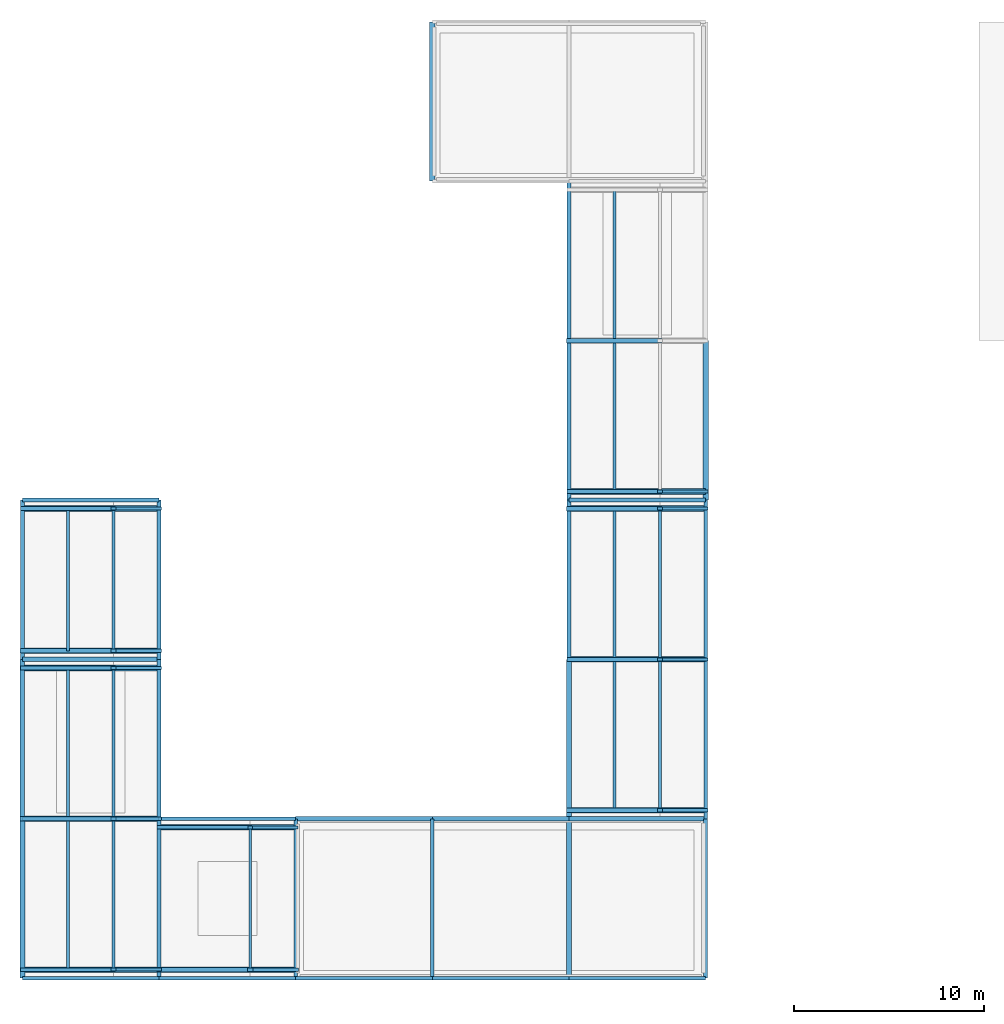
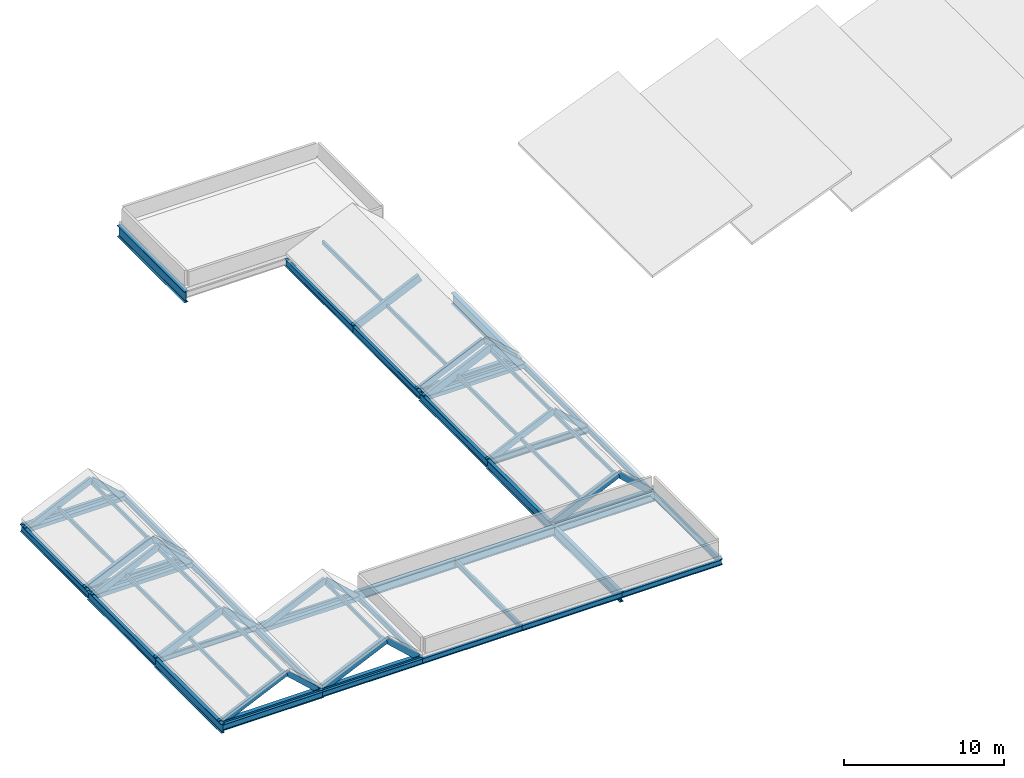
# One storey, part 1 of 3: 42 members, 32 beams.
"""IFC4 building model written with IfcOpenShell, lengths in metres."""

from ifc_helpers import new_model, si_unit, direction, frame, origin, origin_2d, place, context, subcontext, project, spatial, rectangle, hollow_rectangle, i_section, extrude, material, material_profile, profile_set, type_object, element, save


model = new_model("IFC4")

# Units and contexts
model_context = context("Model", 3, precision=1e-05, world=origin(), true_north=direction((0.0, 1.0)))
body_context = subcontext(model_context, "Body", "Model", "MODEL_VIEW")
ifc_project = project(units=[si_unit("LENGTHUNIT", "METRE"), si_unit("AREAUNIT", "SQUARE_METRE"), si_unit("VOLUMEUNIT", "CUBIC_METRE"), si_unit("PLANEANGLEUNIT", "RADIAN"), si_unit("MASSUNIT", "GRAM", prefix="KILO")], contexts=[model_context])

# Site, building, storey
site_placement = place(None, origin())
site = spatial("IfcSite", under=ifc_project, at=site_placement, CompositionType="ELEMENT")
building_placement = place(site_placement, origin())
building = spatial("IfcBuilding", under=site, at=building_placement, Name="Qelthora Terrace Specialist Clinic", CompositionType="ELEMENT")
storey_placement = place(building_placement, frame((0.0, 0.0, 25.800048828125)))
storey = spatial("IfcBuildingStorey", under=building, at=storey_placement, Name="Roof", CompositionType="ELEMENT", Elevation=25.800048828125)

# Beams
ifc_material_1 = material(Name="Steel S355", Category="steel")
ifc_material_profile_1 = material_profile(ifc_material_1, i_section(OverallWidth=0.178955078125, OverallDepth=0.409912109375, WebThickness=0.0087890625, FlangeThickness=0.014404296875, FilletRadius=0.011962890625, at=origin_2d()), Name="W410X67")
ifc_profile_set_1 = profile_set([ifc_material_profile_1], Name="Steel S355")
beam_type_1 = type_object("IfcBeamType", Name="BM-W410X67", PredefinedType="BEAM", material=ifc_profile_set_1)
for number, where, z_axis, x_axis, name in (
    (1, (21.60009765625, 58.800048828125, -0.455078125), (1.0, 0.0, 0.0), (0.0, 1.0, 0.0), "Girder BMX-Roof-1396"),
    (2, (36.0, 58.800048828125, -0.455078125), (1.0, 0.0, 0.0), (0.0, 1.0, 0.0), "Girder BMX-Roof-1398"),
):
    element("IfcBeam", number, at=place(storey_placement, frame(where, z_axis=z_axis, x_axis=x_axis)), inside=storey, type_object=beam_type_1, Name=name, PredefinedType="BEAM", context=body_context, shape_type="SweptSolid", body=[
        extrude(i_section(OverallWidth=0.178955078125, OverallDepth=0.409912109375, WebThickness=0.0087890625, FlangeThickness=0.014404296875, FilletRadius=0.011962890625, at=origin_2d()), origin(), (0.0, 0.0, 1.0), 7.199951171875),
    ])
beam_1_placement = place(storey_placement, frame((14.39990234375, 67.199951171875, -0.455078125), z_axis=(1.0, 0.0, 0.0), x_axis=(0.0, 1.0, 0.0)))
element("IfcBeam", 3, at=beam_1_placement, inside=storey, type_object=beam_type_1, Name="Girder BMX-Roof-1400", PredefinedType="BEAM", context=body_context, shape_type="SweptSolid", body=[
    extrude(i_section(OverallWidth=0.178955078125, OverallDepth=0.409912109375, WebThickness=0.0087890625, FlangeThickness=0.014404296875, FilletRadius=0.011962890625, at=origin_2d()), origin(), (0.0, 0.0, 1.0), 7.2001953125),
])
for number, where, z_axis, x_axis, name in (
    (4, (28.800048828125, 58.800048828125, -0.455078125), (0.0, 1.0, 0.0), (-1.0, 0.0, 0.0), "Girder BMY-Roof-1420"),
    (5, (43.199951171875, 75.60009765625, -0.455078125), (0.0, 1.0, 0.0), (-1.0, 0.0, 0.0), "Girder BMY-Roof-1430"),
):
    element("IfcBeam", number, at=place(storey_placement, frame(where, z_axis=z_axis, x_axis=x_axis)), inside=storey, type_object=beam_type_1, Name=name, PredefinedType="BEAM", context=body_context, shape_type="SweptSolid", body=[
        extrude(i_section(OverallWidth=0.178955078125, OverallDepth=0.409912109375, WebThickness=0.0087890625, FlangeThickness=0.014404296875, FilletRadius=0.011962890625, at=origin_2d()), origin(), (0.0, 0.0, 1.0), 8.39990234375),
    ])
ifc_material_profile_2 = material_profile(ifc_material_1, i_section(OverallWidth=0.179931640625, OverallDepth=0.4130859375, WebThickness=0.009765625, FlangeThickness=0.01611328125, FilletRadius=0.011962890625, at=origin_2d()), Name="W410X75")
ifc_profile_set_2 = profile_set([ifc_material_profile_2], Name="Steel S355")
beam_type_2 = type_object("IfcBeamType", Name="BM-W410X75", PredefinedType="BEAM", material=ifc_profile_set_2)
beam_2_placement = place(storey_placement, frame((14.39990234375, 58.800048828125, -0.45654296875), z_axis=(1.0, 0.0, 0.0), x_axis=(0.0, 1.0, 0.0)))
element("IfcBeam", 6, at=beam_2_placement, inside=storey, type_object=beam_type_2, Name="Girder BMX-Roof-1395", PredefinedType="BEAM", context=body_context, shape_type="SweptSolid", body=[
    extrude(i_section(OverallWidth=0.179931640625, OverallDepth=0.4130859375, WebThickness=0.009765625, FlangeThickness=0.01611328125, FilletRadius=0.011962890625, at=origin_2d()), origin(), (0.0, 0.0, 1.0), 7.2001953125),
])
beam_3_placement = place(storey_placement, frame((28.800048828125, 58.800048828125, -0.45654296875), z_axis=(1.0, 0.0, 0.0), x_axis=(0.0, 1.0, 0.0)))
element("IfcBeam", 7, at=beam_3_placement, inside=storey, type_object=beam_type_2, Name="Girder BMX-Roof-1397", PredefinedType="BEAM", context=body_context, shape_type="SweptSolid", body=[
    extrude(i_section(OverallWidth=0.179931640625, OverallDepth=0.4130859375, WebThickness=0.009765625, FlangeThickness=0.01611328125, FilletRadius=0.011962890625, at=origin_2d()), origin(), (0.0, 0.0, 1.0), 7.199951171875),
])
beam_4_placement = place(storey_placement, frame((21.60009765625, 58.800048828125, -0.45654296875), z_axis=(0.0, 1.0, 0.0), x_axis=(-1.0, 0.0, 0.0)))
element("IfcBeam", 8, at=beam_4_placement, inside=storey, type_object=beam_type_2, Name="Girder BMY-Roof-1419", PredefinedType="BEAM", context=body_context, shape_type="SweptSolid", body=[
    extrude(i_section(OverallWidth=0.179931640625, OverallDepth=0.4130859375, WebThickness=0.009765625, FlangeThickness=0.01611328125, FilletRadius=0.011962890625, at=origin_2d()), origin(), (0.0, 0.0, 1.0), 8.39990234375),
])
beam_5_placement = place(storey_placement, frame((43.199951171875, 67.199951171875, -0.45654296875), z_axis=(0.0, 1.0, 0.0), x_axis=(-1.0, 0.0, 0.0)))
element("IfcBeam", 9, at=beam_5_placement, inside=storey, type_object=beam_type_2, Name="Girder BMY-Roof-1429", PredefinedType="BEAM", context=body_context, shape_type="SweptSolid", body=[
    extrude(i_section(OverallWidth=0.179931640625, OverallDepth=0.4130859375, WebThickness=0.009765625, FlangeThickness=0.01611328125, FilletRadius=0.011962890625, at=origin_2d()), origin(), (0.0, 0.0, 1.0), 8.400146484375),
])
ifc_material_profile_3 = material_profile(ifc_material_1, i_section(OverallWidth=0.19091796875, OverallDepth=0.4599609375, WebThickness=0.010009765625, FlangeThickness=0.01611328125, FilletRadius=0.012939453125, at=origin_2d()), Name="W460X82")
ifc_profile_set_3 = profile_set([ifc_material_profile_3], Name="Steel S355")
beam_type_3 = type_object("IfcBeamType", Name="BM-W460X82", PredefinedType="BEAM", material=ifc_profile_set_3)
for number, where, z_axis, x_axis, name in (
    (10, (7.199951171875, 58.800048828125, -0.47998046875), (1.0, 0.0, 0.0), (0.0, 1.0, 0.0), "Girder BMX-Roof-1394"),
    (11, (7.199951171875, 67.199951171875, -0.47998046875), (1.0, 0.0, 0.0), (0.0, 1.0, 0.0), "Girder BMX-Roof-1399"),
):
    element("IfcBeam", number, at=place(storey_placement, frame(where, z_axis=z_axis, x_axis=x_axis)), inside=storey, type_object=beam_type_3, Name=name, PredefinedType="BEAM", context=body_context, shape_type="SweptSolid", body=[
        extrude(i_section(OverallWidth=0.19091796875, OverallDepth=0.4599609375, WebThickness=0.010009765625, FlangeThickness=0.01611328125, FilletRadius=0.012939453125, at=origin_2d()), origin(), (0.0, 0.0, 1.0), 7.199951171875),
    ])
for number, where, z_axis, x_axis, name in (
    (12, (14.39990234375, 75.60009765625, -0.47998046875), (0.0, 1.0, 0.0), (-1.0, 0.0, 0.0), "Girder BMY-Roof-1418"),
    (13, (43.199951171875, 58.800048828125, -0.47998046875), (0.0, 1.0, 0.0), (-1.0, 0.0, 0.0), "Girder BMY-Roof-1428"),
):
    element("IfcBeam", number, at=place(storey_placement, frame(where, z_axis=z_axis, x_axis=x_axis)), inside=storey, type_object=beam_type_3, Name=name, PredefinedType="BEAM", context=body_context, shape_type="SweptSolid", body=[
        extrude(i_section(OverallWidth=0.19091796875, OverallDepth=0.4599609375, WebThickness=0.010009765625, FlangeThickness=0.01611328125, FilletRadius=0.012939453125, at=origin_2d()), origin(), (0.0, 0.0, 1.0), 8.39990234375),
    ])
ifc_material_profile_4 = material_profile(ifc_material_1, i_section(OverallWidth=0.193115234375, OverallDepth=0.466064453125, WebThickness=0.011474609375, FlangeThickness=0.01904296875, FilletRadius=0.012939453125, at=origin_2d()), Name="W460X97")
ifc_profile_set_4 = profile_set([ifc_material_profile_4], Name="Steel S355")
beam_type_4 = type_object("IfcBeamType", Name="BM-W460X97", PredefinedType="BEAM", material=ifc_profile_set_4)
beam_6_placement = place(storey_placement, frame((36.0, 84.0, -0.483154296875), z_axis=(1.0, 0.0, 0.0), x_axis=(0.0, 1.0, 0.0)))
element("IfcBeam", 14, at=beam_6_placement, inside=storey, type_object=beam_type_4, Name="Girder BMX-Roof-1407", PredefinedType="BEAM", context=body_context, shape_type="SweptSolid", body=[
    extrude(i_section(OverallWidth=0.193115234375, OverallDepth=0.466064453125, WebThickness=0.011474609375, FlangeThickness=0.01904296875, FilletRadius=0.012939453125, at=origin_2d()), origin(), (0.0, 0.0, 1.0), 7.199951171875),
])
beam_7_placement = place(storey_placement, frame((14.39990234375, 67.199951171875, -0.483154296875), z_axis=(0.0, 1.0, 0.0), x_axis=(-1.0, 0.0, 0.0)))
element("IfcBeam", 15, at=beam_7_placement, inside=storey, type_object=beam_type_4, Name="Girder BMY-Roof-1417", PredefinedType="BEAM", context=body_context, shape_type="SweptSolid", body=[
    extrude(i_section(OverallWidth=0.193115234375, OverallDepth=0.466064453125, WebThickness=0.011474609375, FlangeThickness=0.01904296875, FilletRadius=0.012939453125, at=origin_2d()), origin(), (0.0, 0.0, 1.0), 8.400146484375),
])
ifc_material_profile_5 = material_profile(ifc_material_1, i_section(OverallWidth=0.2099609375, OverallDepth=0.537109375, WebThickness=0.010986328125, FlangeThickness=0.017333984375, FilletRadius=0.013916015625, at=origin_2d()), Name="W530X101")
ifc_profile_set_5 = profile_set([ifc_material_profile_5], Name="Steel S355")
beam_type_5 = type_object("IfcBeamType", Name="BM-W530X101", PredefinedType="BEAM", material=ifc_profile_set_5)
beam_8_placement = place(storey_placement, frame((7.199951171875, 84.0, -0.5185546875), z_axis=(1.0, 0.0, 0.0), x_axis=(0.0, 1.0, 0.0)))
element("IfcBeam", 16, at=beam_8_placement, inside=storey, type_object=beam_type_5, Name="Girder BMX-Roof-1406", PredefinedType="BEAM", context=body_context, shape_type="SweptSolid", body=[
    extrude(i_section(OverallWidth=0.2099609375, OverallDepth=0.537109375, WebThickness=0.010986328125, FlangeThickness=0.017333984375, FilletRadius=0.013916015625, at=origin_2d()), origin(), (0.0, 0.0, 1.0), 7.199951171875),
])
beam_9_placement = place(storey_placement, frame((14.39990234375, 58.800048828125, -0.5185546875), z_axis=(0.0, 1.0, 0.0), x_axis=(-1.0, 0.0, 0.0)))
element("IfcBeam", 17, at=beam_9_placement, inside=storey, type_object=beam_type_5, Name="Girder BMY-Roof-1416", PredefinedType="BEAM", context=body_context, shape_type="SweptSolid", body=[
    extrude(i_section(OverallWidth=0.2099609375, OverallDepth=0.537109375, WebThickness=0.010986328125, FlangeThickness=0.017333984375, FilletRadius=0.013916015625, at=origin_2d()), origin(), (0.0, 0.0, 1.0), 8.39990234375),
])
beam_10_placement = place(storey_placement, frame((36.0, 92.39990234375, -0.5185546875), z_axis=(0.0, 1.0, 0.0), x_axis=(-1.0, 0.0, 0.0)))
element("IfcBeam", 18, at=beam_10_placement, inside=storey, type_object=beam_type_5, Name="Girder BMY-Roof-1426", PredefinedType="BEAM", context=body_context, shape_type="SweptSolid", body=[
    extrude(i_section(OverallWidth=0.2099609375, OverallDepth=0.537109375, WebThickness=0.010986328125, FlangeThickness=0.017333984375, FilletRadius=0.013916015625, at=origin_2d()), origin(), (0.0, 0.0, 1.0), 8.400146484375),
])
ifc_material_profile_6 = material_profile(ifc_material_1, i_section(OverallWidth=0.2119140625, OverallDepth=0.5439453125, WebThickness=0.01318359375, FlangeThickness=0.021240234375, FilletRadius=0.013916015625, at=origin_2d()), Name="W530X123")
ifc_profile_set_6 = profile_set([ifc_material_profile_6], Name="Steel S355")
beam_type_6 = type_object("IfcBeamType", Name="BM-W530X123", PredefinedType="BEAM", material=ifc_profile_set_6)
beam_11_placement = place(storey_placement, frame((36.0, 75.60009765625, -0.52197265625), z_axis=(1.0, 0.0, 0.0), x_axis=(0.0, 1.0, 0.0)))
element("IfcBeam", 19, at=beam_11_placement, inside=storey, type_object=beam_type_6, Name="Girder BMX-Roof-1405", PredefinedType="BEAM", context=body_context, shape_type="SweptSolid", body=[
    extrude(i_section(OverallWidth=0.2119140625, OverallDepth=0.5439453125, WebThickness=0.01318359375, FlangeThickness=0.021240234375, FilletRadius=0.013916015625, at=origin_2d()), origin(), (0.0, 0.0, 1.0), 7.199951171875),
])
for number, where, z_axis, x_axis, name in (
    (20, (7.199951171875, 75.60009765625, -0.52197265625), (0.0, 1.0, 0.0), (-1.0, 0.0, 0.0), "Girder BMY-Roof-1415"),
    (21, (36.0, 84.0, -0.52197265625), (0.0, 1.0, 0.0), (-1.0, 0.0, 0.0), "Girder BMY-Roof-1425"),
):
    element("IfcBeam", number, at=place(storey_placement, frame(where, z_axis=z_axis, x_axis=x_axis)), inside=storey, type_object=beam_type_6, Name=name, PredefinedType="BEAM", context=body_context, shape_type="SweptSolid", body=[
        extrude(i_section(OverallWidth=0.2119140625, OverallDepth=0.5439453125, WebThickness=0.01318359375, FlangeThickness=0.021240234375, FilletRadius=0.013916015625, at=origin_2d()), origin(), (0.0, 0.0, 1.0), 8.39990234375),
    ])
ifc_material_profile_7 = material_profile(ifc_material_1, i_section(OverallWidth=0.22900390625, OverallDepth=0.612060546875, WebThickness=0.011962890625, FlangeThickness=0.01953125, FilletRadius=0.01611328125, at=origin_2d()), Name="W610X125")
ifc_profile_set_7 = profile_set([ifc_material_profile_7], Name="Steel S355")
beam_type_7 = type_object("IfcBeamType", Name="BM-W610X125", PredefinedType="BEAM", material=ifc_profile_set_7)
beam_12_placement = place(storey_placement, frame((7.199951171875, 75.60009765625, -0.55615234375), z_axis=(1.0, 0.0, 0.0), x_axis=(0.0, 1.0, 0.0)))
element("IfcBeam", 22, at=beam_12_placement, inside=storey, type_object=beam_type_7, Name="Girder BMX-Roof-1404", PredefinedType="BEAM", context=body_context, shape_type="SweptSolid", body=[
    extrude(i_section(OverallWidth=0.22900390625, OverallDepth=0.612060546875, WebThickness=0.011962890625, FlangeThickness=0.01953125, FilletRadius=0.01611328125, at=origin_2d()), origin(), (0.0, 0.0, 1.0), 7.199951171875),
])
ifc_material_profile_8 = material_profile(ifc_material_1, i_section(OverallWidth=0.22998046875, OverallDepth=0.616943359375, WebThickness=0.01318359375, FlangeThickness=0.022216796875, FilletRadius=0.01611328125, at=origin_2d()), Name="W610X140")
ifc_profile_set_8 = profile_set([ifc_material_profile_8], Name="Steel S355")
beam_type_8 = type_object("IfcBeamType", Name="BM-W610X140", PredefinedType="BEAM", material=ifc_profile_set_8)
beam_13_placement = place(storey_placement, frame((36.0, 67.199951171875, -0.55859375), z_axis=(1.0, 0.0, 0.0), x_axis=(0.0, 1.0, 0.0)))
element("IfcBeam", 23, at=beam_13_placement, inside=storey, type_object=beam_type_8, Name="Girder BMX-Roof-1403", PredefinedType="BEAM", context=body_context, shape_type="SweptSolid", body=[
    extrude(i_section(OverallWidth=0.22998046875, OverallDepth=0.616943359375, WebThickness=0.01318359375, FlangeThickness=0.022216796875, FilletRadius=0.01611328125, at=origin_2d()), origin(), (0.0, 0.0, 1.0), 7.199951171875),
])
beam_14_placement = place(storey_placement, frame((7.199951171875, 67.199951171875, -0.55859375), z_axis=(0.0, 1.0, 0.0), x_axis=(-1.0, 0.0, 0.0)))
element("IfcBeam", 24, at=beam_14_placement, inside=storey, type_object=beam_type_8, Name="Girder BMY-Roof-1414", PredefinedType="BEAM", context=body_context, shape_type="SweptSolid", body=[
    extrude(i_section(OverallWidth=0.22998046875, OverallDepth=0.616943359375, WebThickness=0.01318359375, FlangeThickness=0.022216796875, FilletRadius=0.01611328125, at=origin_2d()), origin(), (0.0, 0.0, 1.0), 8.400146484375),
])
beam_15_placement = place(storey_placement, frame((36.0, 75.60009765625, -0.55859375), z_axis=(0.0, 1.0, 0.0), x_axis=(-1.0, 0.0, 0.0)))
element("IfcBeam", 25, at=beam_15_placement, inside=storey, type_object=beam_type_8, Name="Girder BMY-Roof-1424", PredefinedType="BEAM", context=body_context, shape_type="SweptSolid", body=[
    extrude(i_section(OverallWidth=0.22998046875, OverallDepth=0.616943359375, WebThickness=0.01318359375, FlangeThickness=0.022216796875, FilletRadius=0.01611328125, at=origin_2d()), origin(), (0.0, 0.0, 1.0), 8.39990234375),
])
ifc_material_profile_9 = material_profile(ifc_material_1, i_section(OverallWidth=0.25390625, OverallDepth=0.68798828125, WebThickness=0.01318359375, FlangeThickness=0.02099609375, FilletRadius=0.01806640625, at=origin_2d()), Name="W690X152")
ifc_profile_set_9 = profile_set([ifc_material_profile_9], Name="Steel S355")
beam_type_9 = type_object("IfcBeamType", Name="BM-W690X152", PredefinedType="BEAM", material=ifc_profile_set_9)
beam_16_placement = place(storey_placement, frame((28.800048828125, 67.199951171875, -0.593994140625), z_axis=(1.0, 0.0, 0.0), x_axis=(0.0, 1.0, 0.0)))
element("IfcBeam", 26, at=beam_16_placement, inside=storey, type_object=beam_type_9, Name="Girder BMX-Roof-1402", PredefinedType="BEAM", context=body_context, shape_type="SweptSolid", body=[
    extrude(i_section(OverallWidth=0.25390625, OverallDepth=0.68798828125, WebThickness=0.01318359375, FlangeThickness=0.02099609375, FilletRadius=0.01806640625, at=origin_2d()), origin(), (0.0, 0.0, 1.0), 7.199951171875),
])
ifc_material_profile_10 = material_profile(ifc_material_1, i_section(OverallWidth=0.256103515625, OverallDepth=0.693115234375, WebThickness=0.014404296875, FlangeThickness=0.023681640625, FilletRadius=0.01806640625, at=origin_2d()), Name="W690X170")
ifc_profile_set_10 = profile_set([ifc_material_profile_10], Name="Steel S355")
beam_type_10 = type_object("IfcBeamType", Name="BM-W690X170", PredefinedType="BEAM", material=ifc_profile_set_10)
beam_17_placement = place(storey_placement, frame((21.60009765625, 67.199951171875, -0.596435546875), z_axis=(1.0, 0.0, 0.0), x_axis=(0.0, 1.0, 0.0)))
element("IfcBeam", 27, at=beam_17_placement, inside=storey, type_object=beam_type_10, Name="Girder BMX-Roof-1401", PredefinedType="BEAM", context=body_context, shape_type="SweptSolid", body=[
    extrude(i_section(OverallWidth=0.256103515625, OverallDepth=0.693115234375, WebThickness=0.014404296875, FlangeThickness=0.023681640625, FilletRadius=0.01806640625, at=origin_2d()), origin(), (0.0, 0.0, 1.0), 7.199951171875),
])
beam_18_placement = place(storey_placement, frame((7.199951171875, 58.800048828125, -0.596435546875), z_axis=(0.0, 1.0, 0.0), x_axis=(-1.0, 0.0, 0.0)))
element("IfcBeam", 28, at=beam_18_placement, inside=storey, type_object=beam_type_10, Name="Girder BMY-Roof-1413", PredefinedType="BEAM", context=body_context, shape_type="SweptSolid", body=[
    extrude(i_section(OverallWidth=0.256103515625, OverallDepth=0.693115234375, WebThickness=0.014404296875, FlangeThickness=0.023681640625, FilletRadius=0.01806640625, at=origin_2d()), origin(), (0.0, 0.0, 1.0), 8.39990234375),
])
beam_19_placement = place(storey_placement, frame((36.0, 67.199951171875, -0.596435546875), z_axis=(0.0, 1.0, 0.0), x_axis=(-1.0, 0.0, 0.0)))
element("IfcBeam", 29, at=beam_19_placement, inside=storey, type_object=beam_type_10, Name="Girder BMY-Roof-1423", PredefinedType="BEAM", context=body_context, shape_type="SweptSolid", body=[
    extrude(i_section(OverallWidth=0.256103515625, OverallDepth=0.693115234375, WebThickness=0.014404296875, FlangeThickness=0.023681640625, FilletRadius=0.01806640625, at=origin_2d()), origin(), (0.0, 0.0, 1.0), 8.400146484375),
])
ifc_material_profile_11 = material_profile(ifc_material_1, i_section(OverallWidth=0.26806640625, OverallDepth=0.77001953125, WebThickness=0.015625, FlangeThickness=0.025390625, FilletRadius=0.01904296875, at=origin_2d()), Name="W760X196")
ifc_profile_set_11 = profile_set([ifc_material_profile_11], Name="Steel S355")
beam_type_11 = type_object("IfcBeamType", Name="BM-W760X196", PredefinedType="BEAM", material=ifc_profile_set_11)
beam_20_placement = place(storey_placement, frame((36.0, 58.800048828125, -0.635009765625), z_axis=(0.0, 1.0, 0.0), x_axis=(-1.0, 0.0, 0.0)))
element("IfcBeam", 30, at=beam_20_placement, inside=storey, type_object=beam_type_11, Name="Girder BMY-Roof-1422", PredefinedType="BEAM", context=body_context, shape_type="SweptSolid", body=[
    extrude(i_section(OverallWidth=0.26806640625, OverallDepth=0.77001953125, WebThickness=0.015625, FlangeThickness=0.025390625, FilletRadius=0.01904296875, at=origin_2d()), origin(), (0.0, 0.0, 1.0), 8.39990234375),
])
ifc_material_profile_12 = material_profile(ifc_material_1, i_section(OverallWidth=0.2939453125, OverallDepth=0.85107421875, WebThickness=0.01611328125, FlangeThickness=0.02685546875, FilletRadius=0.02001953125, at=origin_2d()), Name="W840X226")
ifc_profile_set_12 = profile_set([ifc_material_profile_12], Name="Steel S355")
beam_type_12 = type_object("IfcBeamType", Name="BM-W840X226", PredefinedType="BEAM", material=ifc_profile_set_12)
for number, where, z_axis, x_axis, name in (
    (31, (28.800048828125, 100.800048828125, -0.675537109375), (0.0, 1.0, 0.0), (-1.0, 0.0, 0.0), "Girder BMY-Roof-1421"),
    (32, (43.199951171875, 84.0, -0.675537109375), (0.0, 1.0, 0.0), (-1.0, 0.0, 0.0), "Girder BMY-Roof-1431"),
):
    element("IfcBeam", number, at=place(storey_placement, frame(where, z_axis=z_axis, x_axis=x_axis)), inside=storey, type_object=beam_type_12, Name=name, PredefinedType="BEAM", context=body_context, shape_type="SweptSolid", body=[
        extrude(i_section(OverallWidth=0.2939453125, OverallDepth=0.85107421875, WebThickness=0.01611328125, FlangeThickness=0.02685546875, FilletRadius=0.02001953125, at=origin_2d()), origin(), (0.0, 0.0, 1.0), 8.39990234375),
    ])

# Members
ifc_material_profile_13 = material_profile(ifc_material_1, hollow_rectangle(XDim=0.300048828125, YDim=0.300048828125, WallThickness=0.011962890625, at=origin_2d()), Name="HSS300X300X12")
ifc_profile_set_13 = profile_set([ifc_material_profile_13], Name="Steel S355")
member_type_1 = type_object("IfcMemberType", Name="MEM-CHORD-HSS300", PredefinedType="CHORD", material=ifc_profile_set_13)
for number, where, z_axis, x_axis, name in (
    (33, (7.199951171875, 59.25, -0.449951171875), (1.0, 0.0, 0.0), (0.0, 1.0, 0.0), "Gable steel bottom tie chord V5G-015"),
    (34, (7.199951171875, 67.199951171875, -0.449951171875), (1.0, 0.0, 0.0), (0.0, 1.0, 0.0), "Gable steel bottom tie chord V5G-016"),
    (35, (7.199951171875, 75.14990234375, -0.449951171875), (1.0, 0.0, 0.0), (0.0, 1.0, 0.0), "Gable steel bottom tie chord V5G-017"),
    (36, (7.199951171875, 76.050048828125, -0.449951171875), (1.0, 0.0, 0.0), (0.0, 1.0, 0.0), "Gable steel bottom tie chord V5G-018"),
    (37, (7.199951171875, 83.550048828125, -0.449951171875), (1.0, 0.0, 0.0), (0.0, 1.0, 0.0), "Gable steel bottom tie chord V5G-019"),
):
    element("IfcMember", number, at=place(storey_placement, frame(where, z_axis=z_axis, x_axis=x_axis)), inside=storey, type_object=member_type_1, Name=name, PredefinedType="CHORD", context=body_context, shape_type="SweptSolid", body=[
        extrude(hollow_rectangle(XDim=0.300048828125, YDim=0.300048828125, WallThickness=0.011962890625, at=origin_2d()), origin(), (0.0, 0.0, 1.0), 7.199951171875),
    ])
for number, where, z_axis, x_axis, name in (
    (38, (14.39990234375, 59.25, -0.449951171875), (1.0, 0.0, 0.0), (0.0, 1.0, 0.0), "Gable steel bottom tie chord V5G-020"),
    (39, (14.39990234375, 66.75, -0.449951171875), (1.0, 0.0, 0.0), (0.0, 1.0, 0.0), "Gable steel bottom tie chord V5G-021"),
):
    element("IfcMember", number, at=place(storey_placement, frame(where, z_axis=z_axis, x_axis=x_axis)), inside=storey, type_object=member_type_1, Name=name, PredefinedType="CHORD", context=body_context, shape_type="SweptSolid", body=[
        extrude(hollow_rectangle(XDim=0.300048828125, YDim=0.300048828125, WallThickness=0.011962890625, at=origin_2d()), origin(), (0.0, 0.0, 1.0), 7.2001953125),
    ])
for number, where, z_axis, x_axis, name in (
    (40, (36.0, 67.64990234375, -0.449951171875), (1.0, 0.0, 0.0), (0.0, 1.0, 0.0), "Gable steel bottom tie chord V5G-022"),
    (41, (36.0, 75.60009765625, -0.449951171875), (1.0, 0.0, 0.0), (0.0, 1.0, 0.0), "Gable steel bottom tie chord V5G-023"),
    (42, (36.0, 83.550048828125, -0.449951171875), (1.0, 0.0, 0.0), (0.0, 1.0, 0.0), "Gable steel bottom tie chord V5G-024"),
    (43, (36.0, 84.449951171875, -0.449951171875), (1.0, 0.0, 0.0), (0.0, 1.0, 0.0), "Gable steel bottom tie chord V5G-025"),
):
    element("IfcMember", number, at=place(storey_placement, frame(where, z_axis=z_axis, x_axis=x_axis)), inside=storey, type_object=member_type_1, Name=name, PredefinedType="CHORD", context=body_context, shape_type="SweptSolid", body=[
        extrude(hollow_rectangle(XDim=0.300048828125, YDim=0.300048828125, WallThickness=0.011962890625, at=origin_2d()), origin(), (0.0, 0.0, 1.0), 7.199951171875),
    ])
ifc_material_2 = material(Name="Glulam timber GL28h", Category="wood")
ifc_material_profile_14 = material_profile(ifc_material_2, rectangle(XDim=0.139892578125, YDim=0.280029296875, at=origin_2d()), Name="GL140X280")
ifc_profile_set_14 = profile_set([ifc_material_profile_14], Name="Glulam timber GL28h")
member_type_2 = type_object("IfcMemberType", Name="MEM-PURLIN-GL280", PredefinedType="PURLIN", material=ifc_profile_set_14)
for number, where, z_axis, x_axis, name in (
    (44, (12.0, 59.25, 1.530029296875), (0.0, 1.0, 0.0), (-1.0, 0.0, 0.0), "Glulam roof purlin GPRL-043"),
    (45, (9.60009765625, 59.25, 0.429931640625), (0.0, 1.0, 0.0), (-1.0, 0.0, 0.0), "Glulam roof purlin GPRL-044"),
):
    element("IfcMember", number, at=place(storey_placement, frame(where, z_axis=z_axis, x_axis=x_axis)), inside=storey, type_object=member_type_2, Name=name, PredefinedType="PURLIN", context=body_context, shape_type="SweptSolid", body=[
        extrude(rectangle(XDim=0.139892578125, YDim=0.280029296875, at=origin_2d()), origin(), (0.0, 0.0, 1.0), 15.89990234375),
    ])
for number, where, z_axis, x_axis, name in (
    (46, (12.0, 76.050048828125, 1.530029296875), (0.0, 1.0, 0.0), (-1.0, 0.0, 0.0), "Glulam roof purlin GPRL-045"),
    (47, (9.60009765625, 76.050048828125, 0.429931640625), (0.0, 1.0, 0.0), (-1.0, 0.0, 0.0), "Glulam roof purlin GPRL-046"),
    (48, (19.199951171875, 59.25, 1.530029296875), (0.0, 1.0, 0.0), (-1.0, 0.0, 0.0), "Glulam roof purlin GPRL-047"),
):
    element("IfcMember", number, at=place(storey_placement, frame(where, z_axis=z_axis, x_axis=x_axis)), inside=storey, type_object=member_type_2, Name=name, PredefinedType="PURLIN", context=body_context, shape_type="SweptSolid", body=[
        extrude(rectangle(XDim=0.139892578125, YDim=0.280029296875, at=origin_2d()), origin(), (0.0, 0.0, 1.0), 7.5),
    ])
for number, where, z_axis, x_axis, name in (
    (49, (40.800048828125, 67.64990234375, 1.530029296875), (0.0, 1.0, 0.0), (-1.0, 0.0, 0.0), "Glulam roof purlin GPRL-048"),
    (50, (38.39990234375, 67.64990234375, 0.429931640625), (0.0, 1.0, 0.0), (-1.0, 0.0, 0.0), "Glulam roof purlin GPRL-049"),
    (51, (38.39990234375, 84.449951171875, 0.429931640625), (0.0, 1.0, 0.0), (-1.0, 0.0, 0.0), "Glulam roof purlin GPRL-051"),
):
    element("IfcMember", number, at=place(storey_placement, frame(where, z_axis=z_axis, x_axis=x_axis)), inside=storey, type_object=member_type_2, Name=name, PredefinedType="PURLIN", context=body_context, shape_type="SweptSolid", body=[
        extrude(rectangle(XDim=0.139892578125, YDim=0.280029296875, at=origin_2d()), origin(), (0.0, 0.0, 1.0), 15.900146484375),
    ])
ifc_material_profile_15 = material_profile(ifc_material_2, rectangle(XDim=0.159912109375, YDim=0.360107421875, at=origin_2d()), Name="GL160X360")
ifc_profile_set_15 = profile_set([ifc_material_profile_15], Name="Glulam timber GL28h")
member_type_3 = type_object("IfcMemberType", Name="MEM-RAFTER-GL360", PredefinedType="RAFTER", material=ifc_profile_set_15)
for number, where, z_axis, x_axis, name in (
    (52, (12.0, 59.25, 1.75), (0.737147914617, 0.0, -0.675731420001), (0.0, 1.0, 0.0), "Glulam gable rafter V5G-015E"),
    (53, (12.0, 75.14990234375, 1.75), (0.737147914617, 0.0, -0.675731420001), (0.0, 1.0, 0.0), "Glulam gable rafter V5G-017E"),
    (54, (12.0, 83.550048828125, 1.75), (0.737147914617, 0.0, -0.675731420001), (0.0, 1.0, 0.0), "Glulam gable rafter V5G-019E"),
):
    element("IfcMember", number, at=place(storey_placement, frame(where, z_axis=z_axis, x_axis=x_axis)), inside=storey, type_object=member_type_3, Name=name, PredefinedType="RAFTER", context=body_context, shape_type="SweptSolid", body=[
        extrude(rectangle(XDim=0.159912109375, YDim=0.360107421875, at=origin_2d()), origin(), (0.0, 0.0, 1.0), 3.255615234375),
    ])
member_1_placement = place(storey_placement, frame((19.199951171875, 66.75, 1.75), z_axis=(0.737182153007, 0.0, -0.675694067821), x_axis=(0.0, 1.0, 0.0)))
element("IfcMember", 55, at=member_1_placement, inside=storey, type_object=member_type_3, Name="Glulam gable rafter V5G-021E", PredefinedType="RAFTER", context=body_context, shape_type="SweptSolid", body=[
    extrude(rectangle(XDim=0.159912109375, YDim=0.360107421875, at=origin_2d()), origin(), (0.0, 0.0, 1.0), 3.255859375),
])
for number, where, z_axis, x_axis, name in (
    (56, (40.800048828125, 75.60009765625, 1.75), (0.737147914617, 0.0, -0.675731420001), (0.0, 1.0, 0.0), "Glulam gable rafter V5G-023E"),
    (57, (40.800048828125, 84.449951171875, 1.75), (0.737147914617, 0.0, -0.675731420001), (0.0, 1.0, 0.0), "Glulam gable rafter V5G-025E"),
):
    element("IfcMember", number, at=place(storey_placement, frame(where, z_axis=z_axis, x_axis=x_axis)), inside=storey, type_object=member_type_3, Name=name, PredefinedType="RAFTER", context=body_context, shape_type="SweptSolid", body=[
        extrude(rectangle(XDim=0.159912109375, YDim=0.360107421875, at=origin_2d()), origin(), (0.0, 0.0, 1.0), 3.255615234375),
    ])
ifc_material_profile_16 = material_profile(ifc_material_2, rectangle(XDim=0.179931640625, YDim=0.419921875, at=origin_2d()), Name="GL180X420")
ifc_profile_set_16 = profile_set([ifc_material_profile_16], Name="Glulam timber GL28h")
member_type_4 = type_object("IfcMemberType", Name="MEM-RAFTER-GL420", PredefinedType="RAFTER", material=ifc_profile_set_16)
for number, where, z_axis, x_axis, name in (
    (58, (12.0, 67.199951171875, 1.75), (0.737147914617, 0.0, -0.675731420001), (0.0, 1.0, 0.0), "Glulam gable rafter V5G-016E"),
    (59, (12.0, 76.050048828125, 1.75), (0.737147914617, 0.0, -0.675731420001), (0.0, 1.0, 0.0), "Glulam gable rafter V5G-018E"),
):
    element("IfcMember", number, at=place(storey_placement, frame(where, z_axis=z_axis, x_axis=x_axis)), inside=storey, type_object=member_type_4, Name=name, PredefinedType="RAFTER", context=body_context, shape_type="SweptSolid", body=[
        extrude(rectangle(XDim=0.179931640625, YDim=0.419921875, at=origin_2d()), origin(), (0.0, 0.0, 1.0), 3.255615234375),
    ])
member_2_placement = place(storey_placement, frame((19.199951171875, 59.25, 1.75), z_axis=(0.737182153007, 0.0, -0.675694067821), x_axis=(0.0, 1.0, 0.0)))
element("IfcMember", 60, at=member_2_placement, inside=storey, type_object=member_type_4, Name="Glulam gable rafter V5G-020E", PredefinedType="RAFTER", context=body_context, shape_type="SweptSolid", body=[
    extrude(rectangle(XDim=0.179931640625, YDim=0.419921875, at=origin_2d()), origin(), (0.0, 0.0, 1.0), 3.255859375),
])
for number, where, z_axis, x_axis, name in (
    (61, (40.800048828125, 67.64990234375, 1.75), (0.737147914617, 0.0, -0.675731420001), (0.0, 1.0, 0.0), "Glulam gable rafter V5G-022E"),
    (62, (40.800048828125, 83.550048828125, 1.75), (0.737147914617, 0.0, -0.675731420001), (0.0, 1.0, 0.0), "Glulam gable rafter V5G-024E"),
):
    element("IfcMember", number, at=place(storey_placement, frame(where, z_axis=z_axis, x_axis=x_axis)), inside=storey, type_object=member_type_4, Name=name, PredefinedType="RAFTER", context=body_context, shape_type="SweptSolid", body=[
        extrude(rectangle(XDim=0.179931640625, YDim=0.419921875, at=origin_2d()), origin(), (0.0, 0.0, 1.0), 3.255615234375),
    ])
ifc_material_profile_17 = material_profile(ifc_material_2, rectangle(XDim=0.199951171875, YDim=0.47998046875, at=origin_2d()), Name="GL200X480")
ifc_profile_set_17 = profile_set([ifc_material_profile_17], Name="Glulam timber GL28h")
member_type_5 = type_object("IfcMemberType", Name="MEM-RAFTER-GL480", PredefinedType="RAFTER", material=ifc_profile_set_17)
for number, where, z_axis, x_axis, name in (
    (63, (7.199951171875, 59.25, -0.449951171875), (0.909069930811, 0.0, 0.416643565767), (0.0, 1.0, 0.0), "Glulam gable rafter V5G-015W"),
    (64, (7.199951171875, 75.14990234375, -0.449951171875), (0.909069930811, 0.0, 0.416643565767), (0.0, 1.0, 0.0), "Glulam gable rafter V5G-017W"),
    (65, (7.199951171875, 83.550048828125, -0.449951171875), (0.909069930811, 0.0, 0.416643565767), (0.0, 1.0, 0.0), "Glulam gable rafter V5G-019W"),
    (66, (14.39990234375, 66.75, -0.449951171875), (0.909069930811, 0.0, 0.416643565767), (0.0, 1.0, 0.0), "Glulam gable rafter V5G-021W"),
    (67, (36.0, 75.60009765625, -0.449951171875), (0.909069930811, 0.0, 0.416643565767), (0.0, 1.0, 0.0), "Glulam gable rafter V5G-023W"),
    (68, (36.0, 84.449951171875, -0.449951171875), (0.909069930811, 0.0, 0.416643565767), (0.0, 1.0, 0.0), "Glulam gable rafter V5G-025W"),
):
    element("IfcMember", number, at=place(storey_placement, frame(where, z_axis=z_axis, x_axis=x_axis)), inside=storey, type_object=member_type_5, Name=name, PredefinedType="RAFTER", context=body_context, shape_type="SweptSolid", body=[
        extrude(rectangle(XDim=0.199951171875, YDim=0.47998046875, at=origin_2d()), origin(), (0.0, 0.0, 1.0), 5.2802734375),
    ])
ifc_material_profile_18 = material_profile(ifc_material_2, rectangle(XDim=0.239990234375, YDim=0.56005859375, at=origin_2d()), Name="GL240X560")
ifc_profile_set_18 = profile_set([ifc_material_profile_18], Name="Glulam timber GL28h")
member_type_6 = type_object("IfcMemberType", Name="MEM-RAFTER-GL560", PredefinedType="RAFTER", material=ifc_profile_set_18)
for number, where, z_axis, x_axis, name in (
    (69, (7.199951171875, 67.199951171875, -0.449951171875), (0.909069930811, 0.0, 0.416643565767), (0.0, 1.0, 0.0), "Glulam gable rafter V5G-016W"),
    (70, (7.199951171875, 76.050048828125, -0.449951171875), (0.909069930811, 0.0, 0.416643565767), (0.0, 1.0, 0.0), "Glulam gable rafter V5G-018W"),
    (71, (14.39990234375, 59.25, -0.449951171875), (0.909069930811, 0.0, 0.416643565767), (0.0, 1.0, 0.0), "Glulam gable rafter V5G-020W"),
    (72, (36.0, 67.64990234375, -0.449951171875), (0.909069930811, 0.0, 0.416643565767), (0.0, 1.0, 0.0), "Glulam gable rafter V5G-022W"),
    (73, (36.0, 83.550048828125, -0.449951171875), (0.909069930811, 0.0, 0.416643565767), (0.0, 1.0, 0.0), "Glulam gable rafter V5G-024W"),
    (74, (36.0, 92.39990234375, -0.449951171875), (0.909069930811, 0.0, 0.416643565767), (0.0, 1.0, 0.0), "Glulam gable rafter V5G-026W"),
):
    element("IfcMember", number, at=place(storey_placement, frame(where, z_axis=z_axis, x_axis=x_axis)), inside=storey, type_object=member_type_6, Name=name, PredefinedType="RAFTER", context=body_context, shape_type="SweptSolid", body=[
        extrude(rectangle(XDim=0.239990234375, YDim=0.56005859375, at=origin_2d()), origin(), (0.0, 0.0, 1.0), 5.2802734375),
    ])

save(model, "model.ifc")
